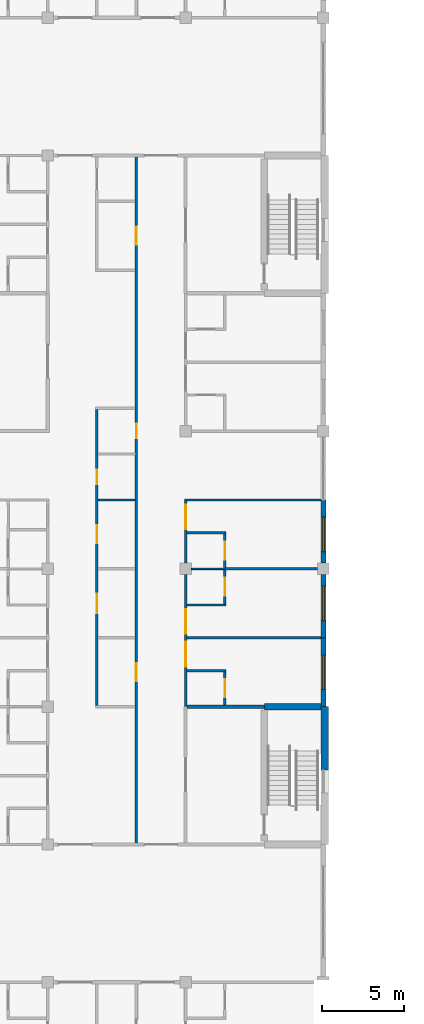
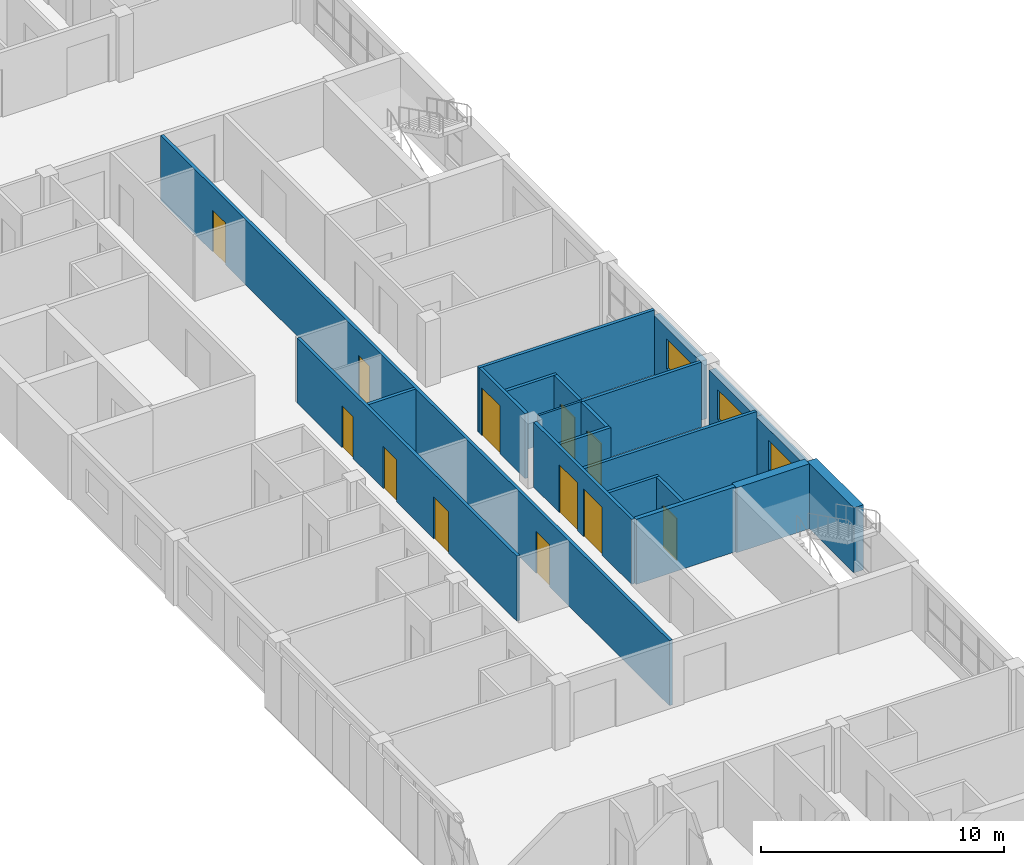
# One storey, part 28 of 45: 21 walls, 12 doors, 3 windows, 15 openings.
"""IFC4 building model written with IfcOpenShell, lengths in metres."""

from ifc_helpers import new_model, si_unit, direction, frame, frame_2d, origin, place, context, subcontext, project, spatial, rectangle, extrude, material, layer, layer_set, type_object, element, fill, save


model = new_model("IFC4")

# Units and contexts
model_context = context("Model", 3, precision=1e-05, world=origin(), true_north=direction((0.0, 1.0)))
body_context = subcontext(model_context, "Body", "Model", "MODEL_VIEW")
ifc_project = project(units=[si_unit("LENGTHUNIT", "METRE"), si_unit("AREAUNIT", "SQUARE_METRE"), si_unit("VOLUMEUNIT", "CUBIC_METRE"), si_unit("PLANEANGLEUNIT", "RADIAN"), si_unit("MASSUNIT", "GRAM", prefix="KILO")], contexts=[model_context])

# Site, building, storey
site_placement = place(None, origin())
site = spatial("IfcSite", under=ifc_project, at=site_placement, CompositionType="ELEMENT")
building_placement = place(site_placement, origin())
building = spatial("IfcBuilding", under=site, at=building_placement, Name="Yavir Park General Hospital", CompositionType="ELEMENT")
storey_placement = place(building_placement, frame((0.0, 0.0, 22.5)))
storey = spatial("IfcBuildingStorey", under=building, at=storey_placement, Name="L05", CompositionType="ELEMENT", Elevation=22.5)

# Walls
ifc_material_1 = material(Name="Double gypsum board fire partition on steel studs", Category="steel")
ifc_layer_1 = layer(ifc_material_1, 0.199951171875)
ifc_layer_set_1 = layer_set([ifc_layer_1], Name="Double gypsum board fire partition on steel studs")
wall_type_1 = type_object("IfcWallType", Name="Fire-rated partition 200, EI 60", PredefinedType="PARTITIONING", material=ifc_layer_set_1)
wall_1_placement = place(storey_placement, frame((16.89990234375, 50.39990234375, 0.0), z_axis=(0.0, 0.0, 1.0), x_axis=(1.0, 0.0, 0.0)))
element("IfcWall", 1, at=wall_1_placement, inside=storey, type_object=wall_type_1, Name="FP20 L05-073", PredefinedType="PARTITIONING", context=body_context, shape_type="SweptSolid", body=[
    extrude(rectangle(XDim=4.7001953125, YDim=0.199951171875, at=frame_2d((2.35009765625, 0.0))), origin(), (0.0, 0.0, 1.0), 3.260009765625),
])
ifc_material_2 = material(Name="Gypsum board partition on steel studs", Category="steel")
ifc_layer_2 = layer(ifc_material_2, 0.10009765625)
ifc_layer_set_2 = layer_set([ifc_layer_2], Name="Gypsum board partition on steel studs")
wall_type_2 = type_object("IfcWallType", Name="Gypsum board partition 100", PredefinedType="PARTITIONING", material=ifc_layer_set_2)
wall_2_placement = place(storey_placement, frame((17.14990234375, 58.800048828125, 0.0), z_axis=(0.0, 0.0, 1.0), x_axis=(1.0, 0.0, 0.0)))
element("IfcWall", 2, at=wall_2_placement, inside=storey, type_object=wall_type_2, Name="P10 L05-085", PredefinedType="PARTITIONING", context=body_context, shape_type="SweptSolid", body=[
    extrude(rectangle(XDim=2.050048828125, YDim=0.10009765625, at=frame_2d((1.02490234375, 0.0))), origin(), (0.0, 0.0, 1.0), 3.260009765625),
])
ifc_material_3 = material(Name="Gypsum board partition on steel studs", Category="steel")
ifc_layer_3 = layer(ifc_material_3, 0.14990234375)
ifc_layer_set_3 = layer_set([ifc_layer_3], Name="Gypsum board partition on steel studs")
wall_type_3 = type_object("IfcWallType", Name="Gypsum board partition 150", PredefinedType="PARTITIONING", material=ifc_layer_set_3)
wall_3_placement = place(storey_placement, frame((16.875, 52.60009765625, 0.0), z_axis=(0.0, 0.0, 1.0), x_axis=(1.0, 0.0, 0.0)))
element("IfcWall", 3, at=wall_3_placement, inside=storey, type_object=wall_type_3, Name="P15 L05-076", PredefinedType="PARTITIONING", context=body_context, shape_type="SweptSolid", body=[
    extrude(rectangle(XDim=2.39990234375, YDim=0.14990234375, at=frame_2d((1.199951171875, 0.0))), origin(), (0.0, 0.0, 1.0), 3.260009765625),
])
wall_4_placement = place(storey_placement, frame((16.875, 54.60009765625, 0.0), z_axis=(0.0, 0.0, 1.0), x_axis=(1.0, 0.0, 0.0)))
element("IfcWall", 4, at=wall_4_placement, inside=storey, type_object=wall_type_3, Name="P15 L05-079", PredefinedType="PARTITIONING", context=body_context, shape_type="SweptSolid", body=[
    extrude(rectangle(XDim=8.175048828125, YDim=0.14990234375, at=frame_2d((4.08740234375, 0.0))), origin(), (0.0, 0.0, 1.0), 3.260009765625),
])
wall_5_placement = place(storey_placement, frame((16.875, 56.60009765625, 0.0), z_axis=(0.0, 0.0, 1.0), x_axis=(1.0, 0.0, 0.0)))
element("IfcWall", 5, at=wall_5_placement, inside=storey, type_object=wall_type_3, Name="P15 L05-081", PredefinedType="PARTITIONING", context=body_context, shape_type="SweptSolid", body=[
    extrude(rectangle(XDim=2.39990234375, YDim=0.14990234375, at=frame_2d((1.199951171875, 0.0))), origin(), (0.0, 0.0, 1.0), 3.260009765625),
])
wall_6_placement = place(storey_placement, frame((19.199951171875, 58.800048828125, 0.0), z_axis=(0.0, 0.0, 1.0), x_axis=(1.0, 0.0, 0.0)))
element("IfcWall", 6, at=wall_6_placement, inside=storey, type_object=wall_type_3, Name="P15 L05-086", PredefinedType="PARTITIONING", context=body_context, shape_type="SweptSolid", body=[
    extrude(rectangle(XDim=5.650146484375, YDim=0.14990234375, at=frame_2d((2.8251953125, 0.0))), origin(), (0.0, 0.0, 1.0), 3.260009765625),
])
wall_7_placement = place(storey_placement, frame((16.875, 61.0, 0.0), z_axis=(0.0, 0.0, 1.0), x_axis=(1.0, 0.0, 0.0)))
element("IfcWall", 7, at=wall_7_placement, inside=storey, type_object=wall_type_3, Name="P15 L05-087", PredefinedType="PARTITIONING", context=body_context, shape_type="SweptSolid", body=[
    extrude(rectangle(XDim=2.39990234375, YDim=0.14990234375, at=frame_2d((1.199951171875, 0.0))), origin(), (0.0, 0.0, 1.0), 3.260009765625),
])
wall_8_placement = place(storey_placement, frame((11.47509765625, 63.0, 0.0), z_axis=(0.0, 0.0, 1.0), x_axis=(1.0, 0.0, 0.0)))
element("IfcWall", 8, at=wall_8_placement, inside=storey, type_object=wall_type_3, Name="P15 L05-090", PredefinedType="PARTITIONING", context=body_context, shape_type="SweptSolid", body=[
    extrude(rectangle(XDim=2.25, YDim=0.14990234375, at=frame_2d((1.125, 0.0))), origin(), (0.0, 0.0, 1.0), 3.260009765625),
])
wall_9_placement = place(storey_placement, frame((16.72509765625, 63.0, 0.0), z_axis=(0.0, 0.0, 1.0), x_axis=(1.0, 0.0, 0.0)))
element("IfcWall", 9, at=wall_9_placement, inside=storey, type_object=wall_type_3, Name="P15 L05-091", PredefinedType="PARTITIONING", context=body_context, shape_type="SweptSolid", body=[
    extrude(rectangle(XDim=8.324951171875, YDim=0.14990234375, at=frame_2d((4.16259765625, 0.0))), origin(), (0.0, 0.0, 1.0), 3.260009765625),
])

# Wall, openings, doors
wall_10_placement = place(storey_placement, frame((11.39990234375, 50.47509765625, 0.0), z_axis=(0.0, 0.0, 1.0), x_axis=(0.0, 1.0, 0.0)))
wall_10 = element("IfcWall", 10, at=wall_10_placement, inside=storey, type_object=wall_type_3, Name="P15 L05-175", PredefinedType="PARTITIONING", context=body_context, shape_type="SweptSolid", body=[
    extrude(rectangle(XDim=18.0498046875, YDim=0.14990234375, at=frame_2d((9.02490234375, 0.0))), origin(), (0.0, 0.0, 1.0), 3.260009765625),
])
opening_1_placement = place(wall_10_placement, frame((5.625, 0.0, 0.0)))
opening_1 = element("IfcOpeningElement", 11, at=opening_1_placement, cuts=wall_10, Name="Opening L05.D108", PredefinedType="OPENING", context=body_context, shape_type="SweptSolid", body=[
    extrude(rectangle(XDim=1.199951171875, YDim=2.10009765625, at=frame_2d((0.60009765625, 1.050048828125))), frame((0.0, 0.0849609375, 0.0), z_axis=(0.0, -1.0, 0.0), x_axis=(1.0, 0.0, 0.0)), (0.0, 0.0, 1.0), 0.169921875),
])
opening_2_placement = place(wall_10_placement, frame((9.875, 0.0, 0.0)))
opening_2 = element("IfcOpeningElement", 12, at=opening_2_placement, cuts=wall_10, Name="Opening L05.D109", PredefinedType="OPENING", context=body_context, shape_type="SweptSolid", body=[
    extrude(rectangle(XDim=1.10009765625, YDim=2.10009765625, at=frame_2d((0.550048828125, 1.050048828125))), frame((0.0, 0.0849609375, 0.0), z_axis=(0.0, -1.0, 0.0), x_axis=(1.0, 0.0, 0.0)), (0.0, 0.0, 1.0), 0.169921875),
])
opening_3_placement = place(wall_10_placement, frame((13.47509765625, 0.0, 0.0)))
opening_3 = element("IfcOpeningElement", 13, at=opening_3_placement, cuts=wall_10, Name="Opening L05.D110", PredefinedType="OPENING", context=body_context, shape_type="SweptSolid", body=[
    extrude(rectangle(XDim=0.89990234375, YDim=2.10009765625, at=frame_2d((0.449951171875, 1.050048828125))), frame((0.0, 0.0849609375, 0.0), z_axis=(0.0, -1.0, 0.0), x_axis=(1.0, 0.0, 0.0)), (0.0, 0.0, 1.0), 0.169921875),
])
ifc_material_4 = material(Name="Timber frame, hollow-core leaf", Category="wood")
door_type_1 = type_object("IfcDoorType", Name="Light cupboard door 900 x 2100", OperationType="SINGLE_SWING_LEFT", PredefinedType="DOOR", material=ifc_material_4)
door_1_placement = place(opening_3_placement, origin())
door_1 = element("IfcDoor", 14, at=door_1_placement, inside=storey, type_object=door_type_1, Name="L05.D110", OperationType="SINGLE_SWING_LEFT", OverallHeight=2.10009765625, OverallWidth=0.89990234375, PredefinedType="DOOR", context=body_context, shape_type="SweptSolid", body=[
    extrude(rectangle(XDim=0.89990234375, YDim=2.10009765625, at=frame_2d((0.449951171875, 1.050048828125))), frame((0.0, 0.02001953125, 0.0), z_axis=(0.0, -1.0, 0.0), x_axis=(1.0, 0.0, 0.0)), (0.0, 0.0, 1.0), 0.0400390625),
])
fill(opening_3, door_1)
ifc_material_5 = material(Name="Hollow metal frame, solid-core timber leaf", Category="wood")
door_type_2 = type_object("IfcDoorType", Name="Single swing door 1100 x 2100", OperationType="SINGLE_SWING_LEFT", PredefinedType="DOOR", material=ifc_material_5)
door_2_placement = place(opening_2_placement, origin())
door_2 = element("IfcDoor", 15, at=door_2_placement, inside=storey, type_object=door_type_2, Name="L05.D109", OperationType="SINGLE_SWING_LEFT", OverallHeight=2.10009765625, OverallWidth=1.10009765625, PredefinedType="DOOR", context=body_context, shape_type="SweptSolid", body=[
    extrude(rectangle(XDim=1.10009765625, YDim=2.10009765625, at=frame_2d((0.550048828125, 1.050048828125))), frame((0.0, 0.02490234375, 0.0), z_axis=(0.0, -1.0, 0.0), x_axis=(1.0, 0.0, 0.0)), (0.0, 0.0, 1.0), 0.050048828125),
])
fill(opening_2, door_2)
ifc_material_6 = material(Name="Hollow metal frame, solid-core timber leaf", Category="wood")
door_type_3 = type_object("IfcDoorType", Name="Single swing door 1200 x 2100", OperationType="SINGLE_SWING_LEFT", PredefinedType="DOOR", material=ifc_material_6)
door_3_placement = place(opening_1_placement, origin())
door_3 = element("IfcDoor", 16, at=door_3_placement, inside=storey, type_object=door_type_3, Name="L05.D108", OperationType="SINGLE_SWING_LEFT", OverallHeight=2.10009765625, OverallWidth=1.199951171875, PredefinedType="DOOR", context=body_context, shape_type="SweptSolid", body=[
    extrude(rectangle(XDim=1.199951171875, YDim=2.10009765625, at=frame_2d((0.60009765625, 1.050048828125))), frame((0.0, 0.02490234375, 0.0), z_axis=(0.0, -1.0, 0.0), x_axis=(1.0, 0.0, 0.0)), (0.0, 0.0, 1.0), 0.050048828125),
])
fill(opening_1, door_3)

wall_11_placement = place(storey_placement, frame((13.800048828125, 42.10009765625, 0.0), z_axis=(0.0, 0.0, 1.0), x_axis=(0.0, 1.0, 0.0)))
wall_11 = element("IfcWall", 17, at=wall_11_placement, inside=storey, type_object=wall_type_3, Name="P15 L05-180", PredefinedType="PARTITIONING", context=body_context, shape_type="SweptSolid", body=[
    extrude(rectangle(XDim=41.7998046875, YDim=0.14990234375, at=frame_2d((20.89990234375, 0.0))), origin(), (0.0, 0.0, 1.0), 3.260009765625),
])
opening_4_placement = place(wall_11_placement, frame((9.85009765625, 0.0, 0.0)))
opening_4 = element("IfcOpeningElement", 18, at=opening_4_placement, cuts=wall_11, Name="Opening L05.D113", PredefinedType="OPENING", context=body_context, shape_type="SweptSolid", body=[
    extrude(rectangle(XDim=1.10009765625, YDim=2.10009765625, at=frame_2d((0.550048828125, 1.050048828125))), frame((0.0, 0.0849609375, 0.0), z_axis=(0.0, -1.0, 0.0), x_axis=(1.0, 0.0, 0.0)), (0.0, 0.0, 1.0), 0.169921875),
])
opening_5_placement = place(wall_11_placement, frame((24.64990234375, 0.0, 0.0)))
opening_5 = element("IfcOpeningElement", 19, at=opening_5_placement, cuts=wall_11, Name="Opening L05.D114", PredefinedType="OPENING", context=body_context, shape_type="SweptSolid", body=[
    extrude(rectangle(XDim=0.89990234375, YDim=2.10009765625, at=frame_2d((0.449951171875, 1.050048828125))), frame((0.0, 0.0849609375, 0.0), z_axis=(0.0, -1.0, 0.0), x_axis=(1.0, 0.0, 0.0)), (0.0, 0.0, 1.0), 0.169921875),
])
opening_6_placement = place(wall_11_placement, frame((36.449951171875, 0.0, 0.0)))
opening_6 = element("IfcOpeningElement", 20, at=opening_6_placement, cuts=wall_11, Name="Opening L05.D115", PredefinedType="OPENING", context=body_context, shape_type="SweptSolid", body=[
    extrude(rectangle(XDim=1.10009765625, YDim=2.10009765625, at=frame_2d((0.550048828125, 1.050048828125))), frame((0.0, 0.0849609375, 0.0), z_axis=(0.0, -1.0, 0.0), x_axis=(1.0, 0.0, 0.0)), (0.0, 0.0, 1.0), 0.169921875),
])
door_4_placement = place(opening_5_placement, origin())
door_4 = element("IfcDoor", 21, at=door_4_placement, inside=storey, type_object=door_type_1, Name="L05.D114", OperationType="SINGLE_SWING_RIGHT", OverallHeight=2.10009765625, OverallWidth=0.89990234375, PredefinedType="DOOR", context=body_context, shape_type="SweptSolid", body=[
    extrude(rectangle(XDim=0.89990234375, YDim=2.10009765625, at=frame_2d((0.449951171875, 1.050048828125))), frame((0.0, 0.02001953125, 0.0), z_axis=(0.0, -1.0, 0.0), x_axis=(1.0, 0.0, 0.0)), (0.0, 0.0, 1.0), 0.0400390625),
])
fill(opening_5, door_4)
door_5_placement = place(opening_4_placement, origin())
door_5 = element("IfcDoor", 22, at=door_5_placement, inside=storey, type_object=door_type_2, Name="L05.D113", OperationType="SINGLE_SWING_RIGHT", OverallHeight=2.10009765625, OverallWidth=1.10009765625, PredefinedType="DOOR", context=body_context, shape_type="SweptSolid", body=[
    extrude(rectangle(XDim=1.10009765625, YDim=2.10009765625, at=frame_2d((0.550048828125, 1.050048828125))), frame((0.0, 0.02490234375, 0.0), z_axis=(0.0, -1.0, 0.0), x_axis=(1.0, 0.0, 0.0)), (0.0, 0.0, 1.0), 0.050048828125),
])
fill(opening_4, door_5)
door_6_placement = place(opening_6_placement, origin())
door_6 = element("IfcDoor", 23, at=door_6_placement, inside=storey, type_object=door_type_2, Name="L05.D115", OperationType="SINGLE_SWING_RIGHT", OverallHeight=2.10009765625, OverallWidth=1.10009765625, PredefinedType="DOOR", context=body_context, shape_type="SweptSolid", body=[
    extrude(rectangle(XDim=1.10009765625, YDim=2.10009765625, at=frame_2d((0.550048828125, 1.050048828125))), frame((0.0, 0.02490234375, 0.0), z_axis=(0.0, -1.0, 0.0), x_axis=(1.0, 0.0, 0.0)), (0.0, 0.0, 1.0), 0.050048828125),
])
fill(opening_6, door_6)

wall_12_placement = place(storey_placement, frame((16.800048828125, 50.39990234375, 0.0), z_axis=(0.0, 0.0, 1.0), x_axis=(0.0, 1.0, 0.0)))
wall_12 = element("IfcWall", 24, at=wall_12_placement, inside=storey, type_object=wall_type_3, Name="P15 L05-189", PredefinedType="PARTITIONING", context=body_context, shape_type="SweptSolid", body=[
    extrude(rectangle(XDim=8.050048828125, YDim=0.14990234375, at=frame_2d((4.02490234375, 0.0))), origin(), (0.0, 0.0, 1.0), 3.260009765625),
])
opening_7_placement = place(wall_12_placement, frame((2.449951171875, 0.0, 0.0)))
opening_7 = element("IfcOpeningElement", 25, at=opening_7_placement, cuts=wall_12, Name="Opening L05.D122", PredefinedType="OPENING", context=body_context, shape_type="SweptSolid", body=[
    extrude(rectangle(XDim=1.5, YDim=2.39990234375, at=frame_2d((0.75, 1.199951171875))), frame((0.0, 0.0849609375, 0.0), z_axis=(0.0, -1.0, 0.0), x_axis=(1.0, 0.0, 0.0)), (0.0, 0.0, 1.0), 0.169921875),
])
opening_8_placement = place(wall_12_placement, frame((4.449951171875, 0.0, 0.0)))
opening_8 = element("IfcOpeningElement", 26, at=opening_8_placement, cuts=wall_12, Name="Opening L05.D123", PredefinedType="OPENING", context=body_context, shape_type="SweptSolid", body=[
    extrude(rectangle(XDim=1.5, YDim=2.39990234375, at=frame_2d((0.75, 1.199951171875))), frame((0.0, 0.0849609375, 0.0), z_axis=(0.0, -1.0, 0.0), x_axis=(1.0, 0.0, 0.0)), (0.0, 0.0, 1.0), 0.169921875),
])
ifc_material_7 = material(Name="Solid-core timber leaves, push plates, kick plates", Category="wood")
door_type_4 = type_object("IfcDoorType", Name="Bed door, unequal leaves 1500 x 2400", OperationType="DOUBLE_DOOR_SINGLE_SWING", PredefinedType="DOOR", material=ifc_material_7)
door_7_placement = place(opening_7_placement, origin())
door_7 = element("IfcDoor", 27, at=door_7_placement, inside=storey, type_object=door_type_4, Name="L05.D122", OperationType="SINGLE_SWING_LEFT", OverallHeight=2.39990234375, OverallWidth=1.5, PredefinedType="DOOR", context=body_context, shape_type="SweptSolid", body=[
    extrude(rectangle(XDim=1.5, YDim=2.39990234375, at=frame_2d((0.75, 1.199951171875))), frame((0.0, 0.030029296875, 0.0), z_axis=(0.0, -1.0, 0.0), x_axis=(1.0, 0.0, 0.0)), (0.0, 0.0, 1.0), 0.06005859375),
])
fill(opening_7, door_7)
door_8_placement = place(opening_8_placement, origin())
door_8 = element("IfcDoor", 28, at=door_8_placement, inside=storey, type_object=door_type_4, Name="L05.D123", OperationType="SINGLE_SWING_LEFT", OverallHeight=2.39990234375, OverallWidth=1.5, PredefinedType="DOOR", context=body_context, shape_type="SweptSolid", body=[
    extrude(rectangle(XDim=1.5, YDim=2.39990234375, at=frame_2d((0.75, 1.199951171875))), frame((0.0, 0.030029296875, 0.0), z_axis=(0.0, -1.0, 0.0), x_axis=(1.0, 0.0, 0.0)), (0.0, 0.0, 1.0), 0.06005859375),
])
fill(opening_8, door_8)

# Wall, opening, door
wall_13_placement = place(storey_placement, frame((16.800048828125, 59.14990234375, 0.0), z_axis=(0.0, 0.0, 1.0), x_axis=(0.0, 1.0, 0.0)))
wall_13 = element("IfcWall", 29, at=wall_13_placement, inside=storey, type_object=wall_type_3, Name="P15 L05-190", PredefinedType="PARTITIONING", context=body_context, shape_type="SweptSolid", body=[
    extrude(rectangle(XDim=3.775146484375, YDim=0.14990234375, at=frame_2d((1.8876953125, 0.0))), origin(), (0.0, 0.0, 1.0), 3.260009765625),
])
opening_9_placement = place(wall_13_placement, frame((2.0625, 0.0, 0.0)))
opening_9 = element("IfcOpeningElement", 30, at=opening_9_placement, cuts=wall_13, Name="Opening L05.D124", PredefinedType="OPENING", context=body_context, shape_type="SweptSolid", body=[
    extrude(rectangle(XDim=1.5, YDim=2.39990234375, at=frame_2d((0.75, 1.199951171875))), frame((0.0, 0.0849609375, 0.0), z_axis=(0.0, -1.0, 0.0), x_axis=(1.0, 0.0, 0.0)), (0.0, 0.0, 1.0), 0.169921875),
])
door_9_placement = place(opening_9_placement, origin())
door_9 = element("IfcDoor", 31, at=door_9_placement, inside=storey, type_object=door_type_4, Name="L05.D124", OperationType="SINGLE_SWING_LEFT", OverallHeight=2.39990234375, OverallWidth=1.5, PredefinedType="DOOR", context=body_context, shape_type="SweptSolid", body=[
    extrude(rectangle(XDim=1.5, YDim=2.39990234375, at=frame_2d((0.75, 1.199951171875))), frame((0.0, 0.030029296875, 0.0), z_axis=(0.0, -1.0, 0.0), x_axis=(1.0, 0.0, 0.0)), (0.0, 0.0, 1.0), 0.06005859375),
])
fill(opening_9, door_9)

wall_14_placement = place(storey_placement, frame((19.199951171875, 50.5, 0.0), z_axis=(0.0, 0.0, 1.0), x_axis=(0.0, 1.0, 0.0)))
wall_14 = element("IfcWall", 32, at=wall_14_placement, inside=storey, type_object=wall_type_3, Name="P15 L05-198", PredefinedType="PARTITIONING", context=body_context, shape_type="SweptSolid", body=[
    extrude(rectangle(XDim=2.02490234375, YDim=0.14990234375, at=frame_2d((1.012451171875, 0.0))), origin(), (0.0, 0.0, 1.0), 3.260009765625),
])
opening_10_placement = place(wall_14_placement, frame((0.46240234375, 0.0, 0.0)))
opening_10 = element("IfcOpeningElement", 33, at=opening_10_placement, cuts=wall_14, Name="Opening L05.D133", PredefinedType="OPENING", context=body_context, shape_type="SweptSolid", body=[
    extrude(rectangle(XDim=1.10009765625, YDim=2.10009765625, at=frame_2d((0.550048828125, 1.050048828125))), frame((0.0, 0.0849609375, 0.0), z_axis=(0.0, -1.0, 0.0), x_axis=(1.0, 0.0, 0.0)), (0.0, 0.0, 1.0), 0.169921875),
])
door_10_placement = place(opening_10_placement, origin())
door_10 = element("IfcDoor", 34, at=door_10_placement, inside=storey, type_object=door_type_2, Name="L05.D133", OperationType="SINGLE_SWING_LEFT", OverallHeight=2.10009765625, OverallWidth=1.10009765625, PredefinedType="DOOR", context=body_context, shape_type="SweptSolid", body=[
    extrude(rectangle(XDim=1.10009765625, YDim=2.10009765625, at=frame_2d((0.550048828125, 1.050048828125))), frame((0.0, 0.02490234375, 0.0), z_axis=(0.0, -1.0, 0.0), x_axis=(1.0, 0.0, 0.0)), (0.0, 0.0, 1.0), 0.050048828125),
])
fill(opening_10, door_10)

wall_15_placement = place(storey_placement, frame((19.199951171875, 56.675048828125, 0.0), z_axis=(0.0, 0.0, 1.0), x_axis=(0.0, 1.0, 0.0)))
wall_15 = element("IfcWall", 35, at=wall_15_placement, inside=storey, type_object=wall_type_3, Name="P15 L05-199", PredefinedType="PARTITIONING", context=body_context, shape_type="SweptSolid", body=[
    extrude(rectangle(XDim=2.050048828125, YDim=0.14990234375, at=frame_2d((1.02490234375, 0.0))), origin(), (0.0, 0.0, 1.0), 3.260009765625),
])
opening_11_placement = place(wall_15_placement, frame((0.47509765625, 0.0, 0.0)))
opening_11 = element("IfcOpeningElement", 36, at=opening_11_placement, cuts=wall_15, Name="Opening L05.D134", PredefinedType="OPENING", context=body_context, shape_type="SweptSolid", body=[
    extrude(rectangle(XDim=1.10009765625, YDim=2.10009765625, at=frame_2d((0.550048828125, 1.050048828125))), frame((0.0, 0.0849609375, 0.0), z_axis=(0.0, -1.0, 0.0), x_axis=(1.0, 0.0, 0.0)), (0.0, 0.0, 1.0), 0.169921875),
])
door_11_placement = place(opening_11_placement, origin())
door_11 = element("IfcDoor", 37, at=door_11_placement, inside=storey, type_object=door_type_2, Name="L05.D134", OperationType="SINGLE_SWING_RIGHT", OverallHeight=2.10009765625, OverallWidth=1.10009765625, PredefinedType="DOOR", context=body_context, shape_type="SweptSolid", body=[
    extrude(rectangle(XDim=1.10009765625, YDim=2.10009765625, at=frame_2d((0.550048828125, 1.050048828125))), frame((0.0, 0.02490234375, 0.0), z_axis=(0.0, -1.0, 0.0), x_axis=(1.0, 0.0, 0.0)), (0.0, 0.0, 1.0), 0.050048828125),
])
fill(opening_11, door_11)

wall_16_placement = place(storey_placement, frame((19.199951171875, 58.875, 0.0), z_axis=(0.0, 0.0, 1.0), x_axis=(0.0, 1.0, 0.0)))
wall_16 = element("IfcWall", 38, at=wall_16_placement, inside=storey, type_object=wall_type_3, Name="P15 L05-200", PredefinedType="PARTITIONING", context=body_context, shape_type="SweptSolid", body=[
    extrude(rectangle(XDim=2.050048828125, YDim=0.14990234375, at=frame_2d((1.02490234375, 0.0))), origin(), (0.0, 0.0, 1.0), 3.260009765625),
])
opening_12_placement = place(wall_16_placement, frame((0.47509765625, 0.0, 0.0)))
opening_12 = element("IfcOpeningElement", 39, at=opening_12_placement, cuts=wall_16, Name="Opening L05.D135", PredefinedType="OPENING", context=body_context, shape_type="SweptSolid", body=[
    extrude(rectangle(XDim=1.10009765625, YDim=2.10009765625, at=frame_2d((0.550048828125, 1.050048828125))), frame((0.0, 0.0849609375, 0.0), z_axis=(0.0, -1.0, 0.0), x_axis=(1.0, 0.0, 0.0)), (0.0, 0.0, 1.0), 0.169921875),
])
door_12_placement = place(opening_12_placement, origin())
door_12 = element("IfcDoor", 40, at=door_12_placement, inside=storey, type_object=door_type_2, Name="L05.D135", OperationType="SINGLE_SWING_LEFT", OverallHeight=2.10009765625, OverallWidth=1.10009765625, PredefinedType="DOOR", context=body_context, shape_type="SweptSolid", body=[
    extrude(rectangle(XDim=1.10009765625, YDim=2.10009765625, at=frame_2d((0.550048828125, 1.050048828125))), frame((0.0, 0.02490234375, 0.0), z_axis=(0.0, -1.0, 0.0), x_axis=(1.0, 0.0, 0.0)), (0.0, 0.0, 1.0), 0.050048828125),
])
fill(opening_12, door_12)

# Wall, opening, window
ifc_material_8 = material(Name="Autoclaved aerated block, mineral wool and ochre mineral render")
ifc_layer_4 = layer(ifc_material_8, 0.300048828125)
ifc_layer_set_4 = layer_set([ifc_layer_4], Name="Autoclaved aerated block, mineral wool and ochre mineral render")
wall_type_4 = type_object("IfcWallType", Name="Ochre render ward wall 300, E 30", PredefinedType="SOLIDWALL", material=ifc_layer_set_4)
wall_17_placement = place(storey_placement, frame((25.199951171875, 50.39990234375, 0.0), z_axis=(0.0, 0.0, 1.0), x_axis=(0.0, 1.0, 0.0)))
wall_17 = element("IfcWall", 41, at=wall_17_placement, inside=storey, type_object=wall_type_4, Name="XW7 L05-108", PredefinedType="SOLIDWALL", context=body_context, shape_type="SweptSolid", body=[
    extrude(rectangle(XDim=4.2001953125, YDim=0.300048828125, at=frame_2d((2.10009765625, 0.0))), origin(), (0.0, 0.0, 1.0), 2.9599609375),
])
opening_13_placement = place(wall_17_placement, frame((1.050048828125, 0.0, 0.89990234375)))
opening_13 = element("IfcOpeningElement", 42, at=opening_13_placement, cuts=wall_17, Name="Opening WAR", PredefinedType="OPENING", context=body_context, shape_type="SweptSolid", body=[
    extrude(rectangle(XDim=2.10009765625, YDim=1.5, at=frame_2d((1.050048828125, 0.75))), frame((0.0, 0.159912109375, 0.0), z_axis=(0.0, -1.0, 0.0), x_axis=(1.0, 0.0, 0.0)), (0.0, 0.0, 1.0), 0.320068359375),
])
ifc_material_9 = material(Name="Aluminium frame, tilt-and-turn sash with opening restrictor, double glazed unit", Category="aluminium")
window_type = type_object("IfcWindowType", Name="Ward window, restricted opening 2100 x 1500", PartitioningType="DOUBLE_PANEL_VERTICAL", PredefinedType="WINDOW", material=ifc_material_9)
window_1_placement = place(opening_13_placement, origin())
window_1 = element("IfcWindow", 43, at=window_1_placement, inside=storey, type_object=window_type, Name="WAR L05-046", OverallHeight=1.5, OverallWidth=2.10009765625, PartitioningType="DOUBLE_PANEL_VERTICAL", PredefinedType="WINDOW", context=body_context, shape_type="SweptSolid", body=[
    extrude(rectangle(XDim=2.10009765625, YDim=1.5, at=frame_2d((1.050048828125, 0.75))), frame((0.0, 0.050048828125, 0.0), z_axis=(0.0, -1.0, 0.0), x_axis=(1.0, 0.0, 0.0)), (0.0, 0.0, 1.0), 0.10009765625),
])
fill(opening_13, window_1)

wall_18_placement = place(storey_placement, frame((25.199951171875, 54.60009765625, 0.0), z_axis=(0.0, 0.0, 1.0), x_axis=(0.0, 1.0, 0.0)))
wall_18 = element("IfcWall", 44, at=wall_18_placement, inside=storey, type_object=wall_type_4, Name="XW7 L05-109", PredefinedType="SOLIDWALL", context=body_context, shape_type="SweptSolid", body=[
    extrude(rectangle(XDim=3.849853515625, YDim=0.300048828125, at=frame_2d((1.9248046875, 0.0))), origin(), (0.0, 0.0, 1.0), 2.9599609375),
])
opening_14_placement = place(wall_18_placement, frame((1.050048828125, 0.0, 0.89990234375)))
opening_14 = element("IfcOpeningElement", 45, at=opening_14_placement, cuts=wall_18, Name="Opening WAR", PredefinedType="OPENING", context=body_context, shape_type="SweptSolid", body=[
    extrude(rectangle(XDim=2.10009765625, YDim=1.5, at=frame_2d((1.050048828125, 0.75))), frame((0.0, 0.159912109375, 0.0), z_axis=(0.0, -1.0, 0.0), x_axis=(1.0, 0.0, 0.0)), (0.0, 0.0, 1.0), 0.320068359375),
])
window_2_placement = place(opening_14_placement, origin())
window_2 = element("IfcWindow", 46, at=window_2_placement, inside=storey, type_object=window_type, Name="WAR L05-047", OverallHeight=1.5, OverallWidth=2.10009765625, PartitioningType="DOUBLE_PANEL_VERTICAL", PredefinedType="WINDOW", context=body_context, shape_type="SweptSolid", body=[
    extrude(rectangle(XDim=2.10009765625, YDim=1.5, at=frame_2d((1.050048828125, 0.75))), frame((0.0, 0.050048828125, 0.0), z_axis=(0.0, -1.0, 0.0), x_axis=(1.0, 0.0, 0.0)), (0.0, 0.0, 1.0), 0.10009765625),
])
fill(opening_14, window_2)

wall_19_placement = place(storey_placement, frame((25.199951171875, 59.14990234375, 0.0), z_axis=(0.0, 0.0, 1.0), x_axis=(0.0, 1.0, 0.0)))
wall_19 = element("IfcWall", 47, at=wall_19_placement, inside=storey, type_object=wall_type_4, Name="XW7 L05-110", PredefinedType="SOLIDWALL", context=body_context, shape_type="SweptSolid", body=[
    extrude(rectangle(XDim=3.85009765625, YDim=0.300048828125, at=frame_2d((1.925048828125, 0.0))), origin(), (0.0, 0.0, 1.0), 2.9599609375),
])
opening_15_placement = place(wall_19_placement, frame((0.699951171875, 0.0, 0.89990234375)))
opening_15 = element("IfcOpeningElement", 48, at=opening_15_placement, cuts=wall_19, Name="Opening WAR", PredefinedType="OPENING", context=body_context, shape_type="SweptSolid", body=[
    extrude(rectangle(XDim=2.10009765625, YDim=1.5, at=frame_2d((1.050048828125, 0.75))), frame((0.0, 0.159912109375, 0.0), z_axis=(0.0, -1.0, 0.0), x_axis=(1.0, 0.0, 0.0)), (0.0, 0.0, 1.0), 0.320068359375),
])
window_3_placement = place(opening_15_placement, origin())
window_3 = element("IfcWindow", 49, at=window_3_placement, inside=storey, type_object=window_type, Name="WAR L05-048", OverallHeight=1.5, OverallWidth=2.10009765625, PartitioningType="DOUBLE_PANEL_VERTICAL", PredefinedType="WINDOW", context=body_context, shape_type="SweptSolid", body=[
    extrude(rectangle(XDim=2.10009765625, YDim=1.5, at=frame_2d((1.050048828125, 0.75))), frame((0.0, 0.050048828125, 0.0), z_axis=(0.0, -1.0, 0.0), x_axis=(1.0, 0.0, 0.0)), (0.0, 0.0, 1.0), 0.10009765625),
])
fill(opening_15, window_3)

# Walls
ifc_material_10 = material(Name="Concrete C35/45", Category="concrete")
ifc_layer_5 = layer(ifc_material_10, 0.39990234375)
ifc_layer_set_5 = layer_set([ifc_layer_5], Name="Concrete C35/45")
wall_type_5 = type_object("IfcWallType", Name="Reinforced concrete core wall 400, REI 150", PredefinedType="SHEAR", material=ifc_layer_set_5)
wall_20_placement = place(storey_placement, frame((21.60009765625, 50.39990234375, 0.0), z_axis=(0.0, 0.0, 1.0), x_axis=(1.0, 0.0, 0.0)))
element("IfcWall", 50, at=wall_20_placement, inside=storey, type_object=wall_type_5, Name="CW40 L05-074", PredefinedType="SHEAR", context=body_context, shape_type="SweptSolid", body=[
    extrude(rectangle(XDim=3.449951171875, YDim=0.39990234375, at=frame_2d((1.72509765625, 0.0))), origin(), (0.0, 0.0, 1.0), 3.260009765625),
])
ifc_material_11 = material(Name="Concrete C30/37 precast panel with 150 mm mineral wool insulation", Category="concrete")
ifc_layer_6 = layer(ifc_material_11, 0.449951171875)
ifc_layer_set_6 = layer_set([ifc_layer_6], Name="Concrete C30/37 precast panel with 150 mm mineral wool insulation")
wall_type_6 = type_object("IfcWallType", Name="Stair enclosure wall 450, REI 150", PredefinedType="SOLIDWALL", material=ifc_layer_set_6)
wall_21_placement = place(storey_placement, frame((25.27490234375, 46.550048828125, 0.0), z_axis=(0.0, 0.0, 1.0), x_axis=(0.0, 1.0, 0.0)))
element("IfcWall", 51, at=wall_21_placement, inside=storey, type_object=wall_type_6, Name="XW6 L05-106", PredefinedType="SOLIDWALL", context=body_context, shape_type="SweptSolid", body=[
    extrude(rectangle(XDim=3.849853515625, YDim=0.449951171875, at=frame_2d((1.9248046875, 0.0))), origin(), (0.0, 0.0, 1.0), 3.260009765625),
])

save(model, "model.ifc")
